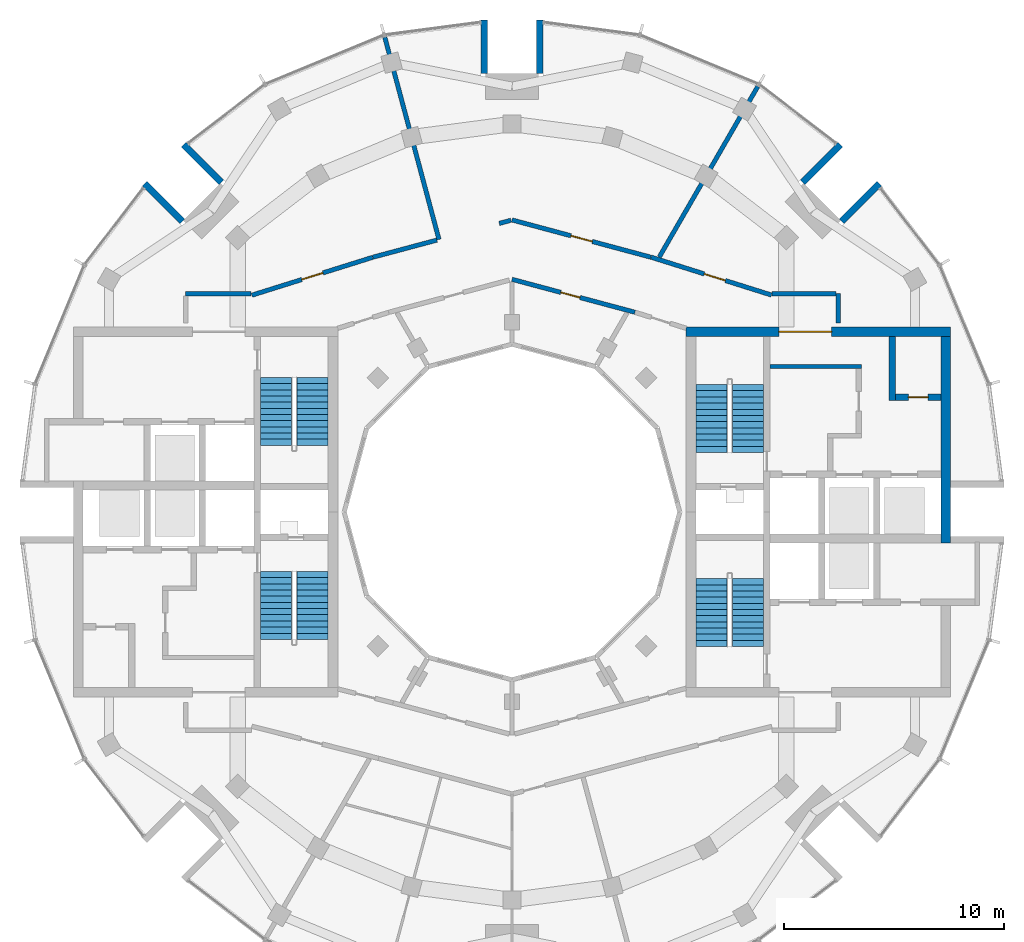
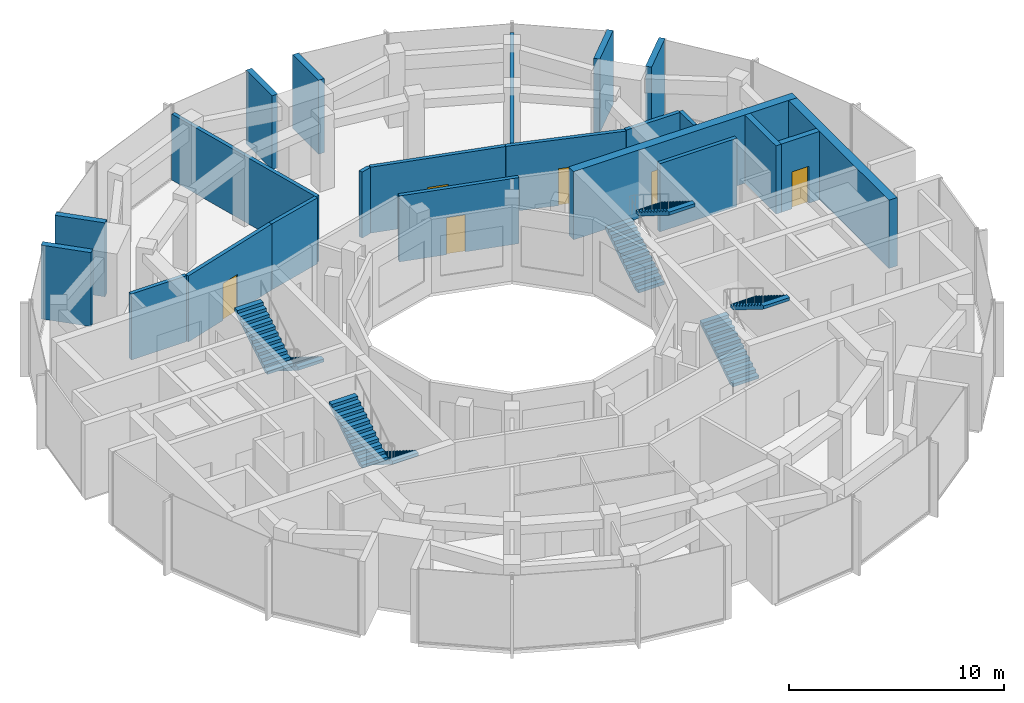
# One storey, part 11 of 13: 22 walls, 8 stair flights, 6 doors, 6 openings, 4 elements without a shape of their own.
"""IFC4 building model written with IfcOpenShell, lengths in metres."""

from ifc_helpers import new_model, si_unit, direction, frame, frame_2d, origin, place, context, subcontext, project, spatial, polyline, rectangle, outline, extrude, material, layer, layer_set, type_object, element, fill, aggregate, save


model = new_model("IFC4")

# Units and contexts
model_context = context("Model", 3, precision=1e-05, world=origin(), true_north=direction((0.0, 1.0)))
body_context = subcontext(model_context, "Body", "Model", "MODEL_VIEW")
ifc_project = project(units=[si_unit("LENGTHUNIT", "METRE"), si_unit("AREAUNIT", "SQUARE_METRE"), si_unit("VOLUMEUNIT", "CUBIC_METRE"), si_unit("PLANEANGLEUNIT", "RADIAN"), si_unit("MASSUNIT", "GRAM", prefix="KILO")], contexts=[model_context])

# Site, building, storey
site_placement = place(None, origin())
site = spatial("IfcSite", under=ifc_project, at=site_placement, CompositionType="ELEMENT")
building_placement = place(site_placement, origin())
building = spatial("IfcBuilding", under=site, at=building_placement, Name="Torre Brocal", CompositionType="ELEMENT")
storey_placement = place(building_placement, frame((0.0, 0.0, 300.89990234375)))
storey = spatial("IfcBuildingStorey", under=building, at=storey_placement, Name="L69", CompositionType="ELEMENT", Elevation=300.89990234375)

# Walls
ifc_material_1 = material(Name="Concrete C50", Category="concrete")
ifc_layer_1 = layer(ifc_material_1, 0.199951171875)
ifc_layer_set_1 = layer_set([ifc_layer_1], Name="Concrete C50")
wall_type_1 = type_object("IfcWallType", Name="CORE WALL 200 C50", PredefinedType="SHEAR", material=ifc_layer_set_1)
wall_1_placement = place(storey_placement, frame((91.699951171875, 81.60009765625, 0.0), z_axis=(0.0, 0.0, 1.0), x_axis=(1.0, 0.0, 0.0)))
element("IfcWall", 1, at=wall_1_placement, inside=storey, type_object=wall_type_1, Name="Wall CW200-50", PredefinedType="SHEAR", context=body_context, shape_type="SweptSolid", body=[
    extrude(rectangle(XDim=4.150146484375, YDim=0.199951171875, at=frame_2d((2.0751953125, 0.0))), origin(), (0.0, 0.0, 1.0), 3.880126953125),
])
ifc_material_2 = material(Name="Concrete C50", Category="concrete")
ifc_layer_2 = layer(ifc_material_2, 0.300048828125)
ifc_layer_set_2 = layer_set([ifc_layer_2], Name="Concrete C50")
wall_type_2 = type_object("IfcWallType", Name="CORE WALL 300 C50", PredefinedType="SHEAR", material=ifc_layer_set_2)
wall_2_placement = place(storey_placement, frame((97.25, 80.050048828125, 0.0), z_axis=(0.0, 0.0, 1.0), x_axis=(0.0, 1.0, 0.0)))
element("IfcWall", 2, at=wall_2_placement, inside=storey, type_object=wall_type_2, Name="Wall CW300-50", PredefinedType="SHEAR", context=body_context, shape_type="SweptSolid", body=[
    extrude(rectangle(XDim=2.89990234375, YDim=0.300048828125, at=frame_2d((1.449951171875, 0.0))), origin(), (0.0, 0.0, 1.0), 3.880126953125),
])

# Wall, opening, door
wall_3_placement = place(storey_placement, frame((97.39990234375, 80.199951171875, 0.0), z_axis=(0.0, 0.0, 1.0), x_axis=(1.0, 0.0, 0.0)))
wall_3 = element("IfcWall", 3, at=wall_3_placement, inside=storey, type_object=wall_type_2, Name="Wall CW300-50", PredefinedType="SHEAR", context=body_context, shape_type="SweptSolid", body=[
    extrude(rectangle(XDim=2.050048828125, YDim=0.300048828125, at=frame_2d((1.02490234375, 0.0))), origin(), (0.0, 0.0, 1.0), 3.880126953125),
])
opening_1_placement = place(wall_3_placement, frame((0.574951171875, 0.0, 0.0)))
opening_1 = element("IfcOpeningElement", 4, at=opening_1_placement, cuts=wall_3, Name="Opening E-D06", PredefinedType="OPENING", context=body_context, shape_type="SweptSolid", body=[
    extrude(rectangle(XDim=0.89990234375, YDim=2.10009765625, at=frame_2d((0.449951171875, 1.050048828125))), frame((0.0, 0.159912109375, 0.0), z_axis=(0.0, -1.0, 0.0), x_axis=(1.0, 0.0, 0.0)), (0.0, 0.0, 1.0), 0.320068359375),
])
ifc_material_3 = material(Name="Steel A653", Category="steel")
door_type_1 = type_object("IfcDoorType", Name="ROOM DOOR FD30S 900X2100", OperationType="SINGLE_SWING_LEFT", PredefinedType="DOOR", material=ifc_material_3)
door_1_placement = place(opening_1_placement, origin())
door_1 = element("IfcDoor", 5, at=door_1_placement, inside=storey, type_object=door_type_1, Name="Door E-D06", OperationType="SINGLE_SWING_RIGHT", OverallHeight=2.10009765625, OverallWidth=0.89990234375, PredefinedType="DOOR", context=body_context, shape_type="SweptSolid", body=[
    extrude(rectangle(XDim=0.89990234375, YDim=2.10009765625, at=frame_2d((0.449951171875, 1.050048828125))), frame((0.0, 0.02490234375, 0.0), z_axis=(0.0, -1.0, 0.0), x_axis=(1.0, 0.0, 0.0)), (0.0, 0.0, 1.0), 0.050048828125),
])
fill(opening_1, door_1)

ifc_material_4 = material(Name="Concrete C50", Category="concrete")
ifc_layer_3 = layer(ifc_material_4, 0.449951171875)
ifc_layer_set_3 = layer_set([ifc_layer_3], Name="Concrete C50")
wall_type_3 = type_object("IfcWallType", Name="CORE WALL 450 C50", PredefinedType="SHEAR", material=ifc_layer_set_3)
wall_4_placement = place(storey_placement, frame((87.89990234375, 83.175048828125, 0.0), z_axis=(0.0, 0.0, 1.0), x_axis=(1.0, 0.0, 0.0)))
wall_4 = element("IfcWall", 6, at=wall_4_placement, inside=storey, type_object=wall_type_3, Name="Wall CW450-50", PredefinedType="SHEAR", context=body_context, shape_type="SweptSolid", body=[
    extrude(rectangle(XDim=12.0, YDim=0.449951171875, at=frame_2d((6.0, 0.0))), origin(), (0.0, 0.0, 1.0), 3.880126953125),
])
opening_2_placement = place(wall_4_placement, frame((4.199951171875, 0.0, 0.0)))
opening_2 = element("IfcOpeningElement", 7, at=opening_2_placement, cuts=wall_4, Name="Opening E-D24", PredefinedType="OPENING", context=body_context, shape_type="SweptSolid", body=[
    extrude(rectangle(XDim=2.39990234375, YDim=2.39990234375, at=frame_2d((1.199951171875, 1.199951171875))), frame((0.0, 0.23486328125, 0.0), z_axis=(0.0, -1.0, 0.0), x_axis=(1.0, 0.0, 0.0)), (0.0, 0.0, 1.0), 0.469970703125),
])
ifc_material_5 = material(Name="Steel A653", Category="steel")
door_type_2 = type_object("IfcDoorType", Name="DOUBLE FIRE DOOR FD90 2400X2400", OperationType="DOUBLE_DOOR_SINGLE_SWING", PredefinedType="DOOR", material=ifc_material_5)
door_2_placement = place(opening_2_placement, frame((2.39990234375, 0.0, 0.0), z_axis=(0.0, 0.0, 1.0), x_axis=(-1.0, 0.0, 0.0)))
door_2 = element("IfcDoor", 8, at=door_2_placement, inside=storey, type_object=door_type_2, Name="Door E-D24", OperationType="DOUBLE_DOOR_SINGLE_SWING", OverallHeight=2.39990234375, OverallWidth=2.39990234375, PredefinedType="DOOR", context=body_context, shape_type="SweptSolid", body=[
    extrude(rectangle(XDim=2.39990234375, YDim=2.39990234375, at=frame_2d((1.199951171875, 1.199951171875))), frame((0.0, 0.02490234375, 0.0), z_axis=(0.0, -1.0, 0.0), x_axis=(1.0, 0.0, 0.0)), (0.0, 0.0, 1.0), 0.050048828125),
])
fill(opening_2, door_2)

# Walls
wall_5_placement = place(storey_placement, frame((99.675048828125, 73.60009765625, 0.0), z_axis=(0.0, 0.0, 1.0), x_axis=(0.0, 1.0, 0.0)))
element("IfcWall", 9, at=wall_5_placement, inside=storey, type_object=wall_type_3, Name="Wall CW450-50", PredefinedType="SHEAR", context=body_context, shape_type="SweptSolid", body=[
    extrude(rectangle(XDim=9.349853515625, YDim=0.449951171875, at=frame_2d((4.6748046875, 0.0))), origin(), (0.0, 0.0, 1.0), 3.880126953125),
])
ifc_material_6 = material(Name="Concrete C50", Category="concrete")
ifc_layer_4 = layer(ifc_material_6, 0.300048828125)
ifc_layer_set_4 = layer_set([ifc_layer_4], Name="Concrete C50")
wall_type_4 = type_object("IfcWallType", Name="NOTCH RETURN WALL 300 C50", PredefinedType="NOTDEFINED", material=ifc_layer_set_4)
for number, where, z_axis, x_axis, name in (
    (10, (94.955322265625, 88.1875, 0.0), (0.0, 0.0, 1.0), (0.707106781187, 0.707106781187, 0.0), "NOTCH RETURN WALL"),
    (11, (93.1875, 89.955322265625, 0.0), (0.0, 0.0, 1.0), (0.707106781187, 0.707106781187, 0.0), "NOTCH RETURN WALL"),
    (12, (81.25, 94.89990234375, 0.0), (0.0, 0.0, 1.0), (0.0, 1.0, 0.0), "NOTCH RETURN WALL"),
    (13, (78.75, 94.89990234375, 0.0), (0.0, 0.0, 1.0), (0.0, 1.0, 0.0), "NOTCH RETURN WALL"),
    (14, (66.8125, 89.955322265625, 0.0), (0.0, 0.0, 1.0), (-0.707106781187, 0.707106781187, 0.0), "NOTCH RETURN WALL"),
    (15, (65.044677734375, 88.1875, 0.0), (0.0, 0.0, 1.0), (-0.707106781187, 0.707106781187, 0.0), "NOTCH RETURN WALL"),
):
    element("IfcWall", number, at=place(storey_placement, frame(where, z_axis=z_axis, x_axis=x_axis)), inside=storey, type_object=wall_type_4, Name=name, PredefinedType="NOTDEFINED", context=body_context, shape_type="SweptSolid", body=[
        extrude(rectangle(XDim=2.415771484375, YDim=0.300048828125, at=frame_2d((1.2080078125, 0.0))), origin(), (0.0, 0.0, 1.0), 4.2001953125),
    ])
ifc_material_7 = material(Name="Gypsum board", Category="Gypsum")
ifc_layer_5 = layer(ifc_material_7, 0.199951171875)
ifc_layer_set_5 = layer_set([ifc_layer_5], Name="Gypsum board")
wall_type_5 = type_object("IfcWallType", Name="PARTITION 200 EI60", PredefinedType="PARTITIONING", material=ifc_layer_set_5)
wall_6_placement = place(storey_placement, frame((65.199951171875, 84.89990234375, 0.0), z_axis=(0.0, 0.0, 1.0), x_axis=(1.0, 0.0, 0.0)))
element("IfcWall", 16, at=wall_6_placement, inside=storey, type_object=wall_type_5, Name="FLAT ENTRANCE WALL", PredefinedType="PARTITIONING", context=body_context, shape_type="SweptSolid", body=[
    extrude(rectangle(XDim=2.969970703125, YDim=0.199951171875, at=frame_2d((1.48486328125, 0.0))), origin(), (0.0, 0.0, 1.0), 3.75),
])

# Wall, opening, door
wall_7_placement = place(storey_placement, frame((68.200927734375, 84.83349609375, 0.0), z_axis=(0.0, 0.0, 1.0), x_axis=(0.95420102455, 0.299166182492, 0.0)))
wall_7 = element("IfcWall", 17, at=wall_7_placement, inside=storey, type_object=wall_type_5, Name="FLAT ENTRANCE WALL", PredefinedType="PARTITIONING", context=body_context, shape_type="SweptSolid", body=[
    extrude(rectangle(XDim=5.739501953125, YDim=0.199951171875, at=frame_2d((2.86962890625, 0.0))), origin(), (0.0, 0.0, 1.0), 3.75),
])
opening_3_placement = place(wall_7_placement, frame((2.374267578125, 0.0, 0.0)))
opening_3 = element("IfcOpeningElement", 18, at=opening_3_placement, cuts=wall_7, Name="Opening N03-D03", PredefinedType="OPENING", context=body_context, shape_type="SweptSolid", body=[
    extrude(rectangle(XDim=1.0, YDim=2.10009765625, at=frame_2d((0.5, 1.050048828125))), frame((0.0, 0.10986328125, 0.0), z_axis=(0.0, -1.0, 0.0), x_axis=(1.0, 0.0, 0.0)), (0.0, 0.0, 1.0), 0.219970703125),
])
ifc_material_8 = material(Name="Timber", Category="wood")
door_type_3 = type_object("IfcDoorType", Name="FLAT ENTRY DOOR FD30S 1000X2100", OperationType="SINGLE_SWING_RIGHT", PredefinedType="DOOR", material=ifc_material_8)
door_3_placement = place(opening_3_placement, origin())
door_3 = element("IfcDoor", 19, at=door_3_placement, inside=storey, type_object=door_type_3, Name="N03-D03", OperationType="SINGLE_SWING_LEFT", OverallHeight=2.10009765625, OverallWidth=1.0, PredefinedType="DOOR", context=body_context, shape_type="SweptSolid", body=[
    extrude(rectangle(XDim=1.0, YDim=2.10009765625, at=frame_2d((0.5, 1.050048828125))), frame((0.0, 0.02490234375, 0.0), z_axis=(0.0, -1.0, 0.0), x_axis=(1.0, 0.0, 0.0)), (0.0, 0.0, 1.0), 0.050048828125),
])
fill(opening_3, door_3)

# Walls
wall_8_placement = place(storey_placement, frame((73.686767578125, 86.5546875, 0.0), z_axis=(0.0, 0.0, 1.0), x_axis=(0.965987897826, 0.258587279759, 0.0)))
element("IfcWall", 20, at=wall_8_placement, inside=storey, type_object=wall_type_5, Name="FLAT ENTRANCE WALL", PredefinedType="PARTITIONING", context=body_context, shape_type="SweptSolid", body=[
    extrude(rectangle(XDim=3.007080078125, YDim=0.199951171875, at=frame_2d((1.50341796875, 0.0))), origin(), (0.0, 0.0, 1.0), 3.75),
])
wall_9_placement = place(storey_placement, frame((74.22998046875, 96.53759765625, 0.0), z_axis=(0.0, 0.0, 1.0), x_axis=(0.258775468547, -0.965937501538, 0.0)))
element("IfcWall", 21, at=wall_9_placement, inside=storey, type_object=wall_type_5, Name="PARTY PARTITION", PredefinedType="PARTITIONING", context=body_context, shape_type="SweptSolid", body=[
    extrude(rectangle(XDim=9.50244140625, YDim=0.199951171875, at=frame_2d((4.751220703125, 0.0))), origin(), (0.0, 0.0, 1.0), 3.75),
])
wall_10_placement = place(storey_placement, frame((79.42138671875, 88.08984375, 0.0), z_axis=(0.0, 0.0, 1.0), x_axis=(0.966065016104, 0.258299021793, 0.0)))
element("IfcWall", 22, at=wall_10_placement, inside=storey, type_object=wall_type_5, Name="FLAT ENTRANCE WALL", PredefinedType="PARTITIONING", context=body_context, shape_type="SweptSolid", body=[
    extrude(rectangle(XDim=0.549072265625, YDim=0.199951171875, at=frame_2d((0.2744140625, 0.0))), origin(), (0.0, 0.0, 1.0), 3.75),
])

# Wall, opening, door
wall_11_placement = place(storey_placement, frame((80.0, 85.553955078125, 0.0), z_axis=(0.0, 0.0, 1.0), x_axis=(0.965928989968, -0.258807237802, 0.0)))
wall_11 = element("IfcWall", 23, at=wall_11_placement, inside=storey, type_object=wall_type_5, Name="CORRIDOR WALL", PredefinedType="PARTITIONING", context=body_context, shape_type="SweptSolid", body=[
    extrude(rectangle(XDim=5.774169921875, YDim=0.199951171875, at=frame_2d((2.88720703125, 0.0))), origin(), (0.0, 0.0, 1.0), 3.75),
])
opening_4_placement = place(wall_11_placement, frame((2.29150390625, 0.0, 0.0)))
opening_4 = element("IfcOpeningElement", 24, at=opening_4_placement, cuts=wall_11, Name="Opening N03-D05", PredefinedType="OPENING", context=body_context, shape_type="SweptSolid", body=[
    extrude(rectangle(XDim=0.89990234375, YDim=2.10009765625, at=frame_2d((0.449951171875, 1.050048828125))), frame((0.0, 0.10986328125, 0.0), z_axis=(0.0, -1.0, 0.0), x_axis=(1.0, 0.0, 0.0)), (0.0, 0.0, 1.0), 0.219970703125),
])
ifc_material_9 = material(Name="Timber", Category="wood")
door_type_4 = type_object("IfcDoorType", Name="ROOM DOOR 900X2100", OperationType="SINGLE_SWING_LEFT", PredefinedType="DOOR", material=ifc_material_9)
door_4_placement = place(opening_4_placement, frame((0.89990234375, 0.0, 0.0), z_axis=(0.0, 0.0, 1.0), x_axis=(-1.0, 0.0, 0.0)))
door_4 = element("IfcDoor", 25, at=door_4_placement, inside=storey, type_object=door_type_4, Name="N03-D05", OperationType="SINGLE_SWING_LEFT", OverallHeight=2.10009765625, OverallWidth=0.89990234375, PredefinedType="DOOR", context=body_context, shape_type="SweptSolid", body=[
    extrude(rectangle(XDim=0.89990234375, YDim=2.10009765625, at=frame_2d((0.449951171875, 1.050048828125))), frame((0.0, 0.02490234375, 0.0), z_axis=(0.0, -1.0, 0.0), x_axis=(1.0, 0.0, 0.0)), (0.0, 0.0, 1.0), 0.050048828125),
])
fill(opening_4, door_4)

wall_12_placement = place(storey_placement, frame((80.0, 88.24609375, 0.0), z_axis=(0.0, 0.0, 1.0), x_axis=(0.965856994925, -0.259075790752, 0.0)))
wall_12 = element("IfcWall", 26, at=wall_12_placement, inside=storey, type_object=wall_type_5, Name="FLAT ENTRANCE WALL", PredefinedType="PARTITIONING", context=body_context, shape_type="SweptSolid", body=[
    extrude(rectangle(XDim=6.52587890625, YDim=0.199951171875, at=frame_2d((3.262939453125, 0.0))), origin(), (0.0, 0.0, 1.0), 3.75),
])
opening_5_placement = place(wall_12_placement, frame((2.767822265625, 0.0, 0.0)))
opening_5 = element("IfcOpeningElement", 27, at=opening_5_placement, cuts=wall_12, Name="Opening N03-D02", PredefinedType="OPENING", context=body_context, shape_type="SweptSolid", body=[
    extrude(rectangle(XDim=1.0, YDim=2.10009765625, at=frame_2d((0.5, 1.050048828125))), frame((0.0, 0.10986328125, 0.0), z_axis=(0.0, -1.0, 0.0), x_axis=(1.0, 0.0, 0.0)), (0.0, 0.0, 1.0), 0.219970703125),
])
door_5_placement = place(opening_5_placement, origin())
door_5 = element("IfcDoor", 28, at=door_5_placement, inside=storey, type_object=door_type_3, Name="N03-D02", OperationType="SINGLE_SWING_RIGHT", OverallHeight=2.10009765625, OverallWidth=1.0, PredefinedType="DOOR", context=body_context, shape_type="SweptSolid", body=[
    extrude(rectangle(XDim=1.0, YDim=2.10009765625, at=frame_2d((0.5, 1.050048828125))), frame((0.0, 0.02490234375, 0.0), z_axis=(0.0, -1.0, 0.0), x_axis=(1.0, 0.0, 0.0)), (0.0, 0.0, 1.0), 0.050048828125),
])
fill(opening_5, door_5)

wall_13_placement = place(storey_placement, frame((86.313720703125, 86.555908203125, 0.0), z_axis=(0.0, 0.0, 1.0), x_axis=(0.953912400139, -0.300085209334, 0.0)))
wall_13 = element("IfcWall", 29, at=wall_13_placement, inside=storey, type_object=wall_type_5, Name="FLAT ENTRANCE WALL", PredefinedType="PARTITIONING", context=body_context, shape_type="SweptSolid", body=[
    extrude(rectangle(XDim=5.719482421875, YDim=0.199951171875, at=frame_2d((2.85986328125, 0.0))), origin(), (0.0, 0.0, 1.0), 3.75),
])
opening_6_placement = place(wall_13_placement, frame((2.524169921875, 0.0, 0.0)))
opening_6 = element("IfcOpeningElement", 30, at=opening_6_placement, cuts=wall_13, Name="Opening N03-D01", PredefinedType="OPENING", context=body_context, shape_type="SweptSolid", body=[
    extrude(rectangle(XDim=1.0, YDim=2.10009765625, at=frame_2d((0.5, 1.050048828125))), frame((0.0, 0.10986328125, 0.0), z_axis=(0.0, -1.0, 0.0), x_axis=(1.0, 0.0, 0.0)), (0.0, 0.0, 1.0), 0.219970703125),
])
door_6_placement = place(opening_6_placement, origin())
door_6 = element("IfcDoor", 31, at=door_6_placement, inside=storey, type_object=door_type_3, Name="N03-D01", OperationType="SINGLE_SWING_LEFT", OverallHeight=2.10009765625, OverallWidth=1.0, PredefinedType="DOOR", context=body_context, shape_type="SweptSolid", body=[
    extrude(rectangle(XDim=1.0, YDim=2.10009765625, at=frame_2d((0.5, 1.050048828125))), frame((0.0, 0.02490234375, 0.0), z_axis=(0.0, -1.0, 0.0), x_axis=(1.0, 0.0, 0.0)), (0.0, 0.0, 1.0), 0.050048828125),
])
fill(opening_6, door_6)

# Walls
wall_14_placement = place(storey_placement, frame((86.6787109375, 86.56298828125, 0.0), z_axis=(0.0, 0.0, 1.0), x_axis=(0.500152516677, 0.865937330331, 0.0)))
element("IfcWall", 32, at=wall_14_placement, inside=storey, type_object=wall_type_5, Name="PARTY PARTITION", PredefinedType="PARTITIONING", context=body_context, shape_type="SweptSolid", body=[
    extrude(rectangle(XDim=8.943115234375, YDim=0.199951171875, at=frame_2d((4.4716796875, 0.0))), origin(), (0.0, 0.0, 1.0), 3.75),
])
wall_15_placement = place(storey_placement, frame((91.800048828125, 84.89990234375, 0.0), z_axis=(0.0, 0.0, 1.0), x_axis=(1.0, 0.0, 0.0)))
element("IfcWall", 33, at=wall_15_placement, inside=storey, type_object=wall_type_5, Name="FLAT ENTRANCE WALL", PredefinedType="PARTITIONING", context=body_context, shape_type="SweptSolid", body=[
    extrude(rectangle(XDim=2.89990234375, YDim=0.199951171875, at=frame_2d((1.449951171875, 0.0))), origin(), (0.0, 0.0, 1.0), 3.75),
])
wall_16_placement = place(storey_placement, frame((94.800048828125, 83.576904296875, 0.0), z_axis=(0.0, 0.0, 1.0), x_axis=(0.0, 1.0, 0.0)))
element("IfcWall", 34, at=wall_16_placement, inside=storey, type_object=wall_type_5, Name="FLAT ENTRANCE WALL", PredefinedType="PARTITIONING", context=body_context, shape_type="SweptSolid", body=[
    extrude(rectangle(XDim=1.322998046875, YDim=0.199951171875, at=frame_2d((0.66162109375, 0.0))), origin(), (0.0, 0.0, 1.0), 3.75),
])

# Stair, stair flights
ifc_material_10 = material(Name="Concrete C50", Category="concrete")
stair_type = type_object("IfcStairType", Name="EXIT STAIR", PredefinedType="HALF_TURN_STAIR", material=ifc_material_10)
stair_1_placement = place(storey_placement, origin())
stair_1 = element("IfcStair", 35, at=stair_1_placement, inside=storey, type_object=stair_type, Name="EXIT STAIR ST1", PredefinedType="HALF_TURN_STAIR")
ifc_material_11 = material(Name="Concrete C50", Category="concrete")
ifc_layer_6 = layer(ifc_material_11, 0.14990234375)
ifc_layer_set_6 = layer_set([ifc_layer_6], Name="Concrete C50")
stair_flight_type = type_object("IfcStairFlightType", Name="STAIR FLIGHT", PredefinedType="STRAIGHT", material=ifc_layer_set_6)
stair_flight_1_placement = place(storey_placement, frame((89.050048828125, 77.699951171875, 0.0), z_axis=(0.0, 0.0, 1.0), x_axis=(0.0, 1.0, 0.0)))
stair_flight_1 = element("IfcStairFlight", 36, at=stair_flight_1_placement, type_object=stair_flight_type, Name="ST1 flight 1", NumberOfRisers=12, NumberOfTreads=11, PredefinedType="STRAIGHT", RiserHeight=0.175, TreadLength=0.28, context=body_context, shape_type="SweptSolid", body=[
    extrude(outline(polyline([(0.0, 0.0), (0.0, 0.175048828125), (0.280029296875, 0.175048828125), (0.280029296875, 0.35009765625), (0.56005859375, 0.35009765625), (0.56005859375, 0.52490234375), (0.840087890625, 0.52490234375), (0.840087890625, 0.699951171875), (1.1201171875, 0.699951171875), (1.1201171875, 0.875), (1.39990234375, 0.875), (1.39990234375, 1.050048828125), (1.679931640625, 1.050048828125), (1.679931640625, 1.22509765625), (1.9599609375, 1.22509765625), (1.9599609375, 1.39990234375), (2.239990234375, 1.39990234375), (2.239990234375, 1.574951171875), (2.52001953125, 1.574951171875), (2.52001953125, 1.75), (2.800048828125, 1.75), (2.800048828125, 1.925048828125), (3.080078125, 1.925048828125), (3.080078125, 2.10009765625), (3.080078125, 1.748291015625), (0.28271484375, 0.0), (0.0, 0.0)])), frame((0.0, 0.699951171875, 0.0), z_axis=(0.0, -1.0, 0.0), x_axis=(1.0, 0.0, 0.0)), (0.0, 0.0, 1.0), 1.39990234375),
])
stair_flight_2_placement = place(storey_placement, frame((90.699951171875, 80.780029296875, 2.10009765625), z_axis=(0.0, 0.0, 1.0), x_axis=(0.0, -1.0, 0.0)))
stair_flight_2 = element("IfcStairFlight", 37, at=stair_flight_2_placement, type_object=stair_flight_type, Name="ST1 flight 2", NumberOfRisers=12, NumberOfTreads=11, PredefinedType="STRAIGHT", RiserHeight=0.175, TreadLength=0.28, context=body_context, shape_type="SweptSolid", body=[
    extrude(outline(polyline([(0.0, 0.0), (0.0, 0.175048828125), (0.280029296875, 0.175048828125), (0.280029296875, 0.35009765625), (0.56005859375, 0.35009765625), (0.56005859375, 0.52490234375), (0.840087890625, 0.52490234375), (0.840087890625, 0.699951171875), (1.1201171875, 0.699951171875), (1.1201171875, 0.875), (1.39990234375, 0.875), (1.39990234375, 1.050048828125), (1.679931640625, 1.050048828125), (1.679931640625, 1.22509765625), (1.9599609375, 1.22509765625), (1.9599609375, 1.39990234375), (2.239990234375, 1.39990234375), (2.239990234375, 1.574951171875), (2.52001953125, 1.574951171875), (2.52001953125, 1.75), (2.800048828125, 1.75), (2.800048828125, 1.925048828125), (3.080078125, 1.925048828125), (3.080078125, 2.10009765625), (3.080078125, 1.748291015625), (0.28271484375, 0.0), (0.0, 0.0)])), frame((0.0, 0.699951171875, 0.0), z_axis=(0.0, -1.0, 0.0), x_axis=(1.0, 0.0, 0.0)), (0.0, 0.0, 1.0), 1.39990234375),
])
aggregate(stair_1, [stair_flight_1, stair_flight_2])

stair_2_placement = place(storey_placement, origin())
stair_2 = element("IfcStair", 38, at=stair_2_placement, inside=storey, type_object=stair_type, Name="EXIT STAIR ST2", PredefinedType="HALF_TURN_STAIR")
stair_flight_3_placement = place(storey_placement, frame((89.050048828125, 68.89990234375, 0.0), z_axis=(0.0, 0.0, 1.0), x_axis=(0.0, 1.0, 0.0)))
stair_flight_3 = element("IfcStairFlight", 39, at=stair_flight_3_placement, type_object=stair_flight_type, Name="ST2 flight 1", NumberOfRisers=12, NumberOfTreads=11, PredefinedType="STRAIGHT", RiserHeight=0.175, TreadLength=0.28, context=body_context, shape_type="SweptSolid", body=[
    extrude(outline(polyline([(0.0, 0.0), (0.0, 0.175048828125), (0.280029296875, 0.175048828125), (0.280029296875, 0.35009765625), (0.56005859375, 0.35009765625), (0.56005859375, 0.52490234375), (0.840087890625, 0.52490234375), (0.840087890625, 0.699951171875), (1.1201171875, 0.699951171875), (1.1201171875, 0.875), (1.39990234375, 0.875), (1.39990234375, 1.050048828125), (1.679931640625, 1.050048828125), (1.679931640625, 1.22509765625), (1.9599609375, 1.22509765625), (1.9599609375, 1.39990234375), (2.239990234375, 1.39990234375), (2.239990234375, 1.574951171875), (2.52001953125, 1.574951171875), (2.52001953125, 1.75), (2.800048828125, 1.75), (2.800048828125, 1.925048828125), (3.080078125, 1.925048828125), (3.080078125, 2.10009765625), (3.080078125, 1.748291015625), (0.28271484375, 0.0), (0.0, 0.0)])), frame((0.0, 0.699951171875, 0.0), z_axis=(0.0, -1.0, 0.0), x_axis=(1.0, 0.0, 0.0)), (0.0, 0.0, 1.0), 1.39990234375),
])
stair_flight_4_placement = place(storey_placement, frame((90.699951171875, 71.97998046875, 2.10009765625), z_axis=(0.0, 0.0, 1.0), x_axis=(0.0, -1.0, 0.0)))
stair_flight_4 = element("IfcStairFlight", 40, at=stair_flight_4_placement, type_object=stair_flight_type, Name="ST2 flight 2", NumberOfRisers=12, NumberOfTreads=11, PredefinedType="STRAIGHT", RiserHeight=0.175, TreadLength=0.28, context=body_context, shape_type="SweptSolid", body=[
    extrude(outline(polyline([(0.0, 0.0), (0.0, 0.175048828125), (0.280029296875, 0.175048828125), (0.280029296875, 0.35009765625), (0.56005859375, 0.35009765625), (0.56005859375, 0.52490234375), (0.840087890625, 0.52490234375), (0.840087890625, 0.699951171875), (1.1201171875, 0.699951171875), (1.1201171875, 0.875), (1.39990234375, 0.875), (1.39990234375, 1.050048828125), (1.679931640625, 1.050048828125), (1.679931640625, 1.22509765625), (1.9599609375, 1.22509765625), (1.9599609375, 1.39990234375), (2.239990234375, 1.39990234375), (2.239990234375, 1.574951171875), (2.52001953125, 1.574951171875), (2.52001953125, 1.75), (2.800048828125, 1.75), (2.800048828125, 1.925048828125), (3.080078125, 1.925048828125), (3.080078125, 2.10009765625), (3.080078125, 1.748291015625), (0.28271484375, 0.0), (0.0, 0.0)])), frame((0.0, 0.699951171875, 0.0), z_axis=(0.0, -1.0, 0.0), x_axis=(1.0, 0.0, 0.0)), (0.0, 0.0, 1.0), 1.39990234375),
])
aggregate(stair_2, [stair_flight_3, stair_flight_4])

stair_3_placement = place(storey_placement, origin())
stair_3 = element("IfcStair", 41, at=stair_3_placement, inside=storey, type_object=stair_type, Name="EXIT STAIR ST3", PredefinedType="HALF_TURN_STAIR")
stair_flight_5_placement = place(storey_placement, frame((70.949951171875, 72.300048828125, 0.0), z_axis=(0.0, 0.0, 1.0), x_axis=(0.0, -1.0, 0.0)))
stair_flight_5 = element("IfcStairFlight", 42, at=stair_flight_5_placement, type_object=stair_flight_type, Name="ST3 flight 1", NumberOfRisers=12, NumberOfTreads=11, PredefinedType="STRAIGHT", RiserHeight=0.175, TreadLength=0.28, context=body_context, shape_type="SweptSolid", body=[
    extrude(outline(polyline([(0.0, 0.0), (0.0, 0.175048828125), (0.280029296875, 0.175048828125), (0.280029296875, 0.35009765625), (0.56005859375, 0.35009765625), (0.56005859375, 0.52490234375), (0.840087890625, 0.52490234375), (0.840087890625, 0.699951171875), (1.1201171875, 0.699951171875), (1.1201171875, 0.875), (1.39990234375, 0.875), (1.39990234375, 1.050048828125), (1.679931640625, 1.050048828125), (1.679931640625, 1.22509765625), (1.9599609375, 1.22509765625), (1.9599609375, 1.39990234375), (2.239990234375, 1.39990234375), (2.239990234375, 1.574951171875), (2.52001953125, 1.574951171875), (2.52001953125, 1.75), (2.800048828125, 1.75), (2.800048828125, 1.925048828125), (3.080078125, 1.925048828125), (3.080078125, 2.10009765625), (3.080078125, 1.748291015625), (0.28271484375, 0.0), (0.0, 0.0)])), frame((0.0, 0.699951171875, 0.0), z_axis=(0.0, -1.0, 0.0), x_axis=(1.0, 0.0, 0.0)), (0.0, 0.0, 1.0), 1.39990234375),
])
stair_flight_6_placement = place(storey_placement, frame((69.300048828125, 69.219970703125, 2.10009765625), z_axis=(0.0, 0.0, 1.0), x_axis=(0.0, 1.0, 0.0)))
stair_flight_6 = element("IfcStairFlight", 43, at=stair_flight_6_placement, type_object=stair_flight_type, Name="ST3 flight 2", NumberOfRisers=12, NumberOfTreads=11, PredefinedType="STRAIGHT", RiserHeight=0.175, TreadLength=0.28, context=body_context, shape_type="SweptSolid", body=[
    extrude(outline(polyline([(0.0, 0.0), (0.0, 0.175048828125), (0.280029296875, 0.175048828125), (0.280029296875, 0.35009765625), (0.56005859375, 0.35009765625), (0.56005859375, 0.52490234375), (0.840087890625, 0.52490234375), (0.840087890625, 0.699951171875), (1.1201171875, 0.699951171875), (1.1201171875, 0.875), (1.39990234375, 0.875), (1.39990234375, 1.050048828125), (1.679931640625, 1.050048828125), (1.679931640625, 1.22509765625), (1.9599609375, 1.22509765625), (1.9599609375, 1.39990234375), (2.239990234375, 1.39990234375), (2.239990234375, 1.574951171875), (2.52001953125, 1.574951171875), (2.52001953125, 1.75), (2.800048828125, 1.75), (2.800048828125, 1.925048828125), (3.080078125, 1.925048828125), (3.080078125, 2.10009765625), (3.080078125, 1.748291015625), (0.28271484375, 0.0), (0.0, 0.0)])), frame((0.0, 0.699951171875, 0.0), z_axis=(0.0, -1.0, 0.0), x_axis=(1.0, 0.0, 0.0)), (0.0, 0.0, 1.0), 1.39990234375),
])
aggregate(stair_3, [stair_flight_5, stair_flight_6])

stair_4_placement = place(storey_placement, origin())
stair_4 = element("IfcStair", 44, at=stair_4_placement, inside=storey, type_object=stair_type, Name="EXIT STAIR ST4", PredefinedType="HALF_TURN_STAIR")
stair_flight_7_placement = place(storey_placement, frame((70.949951171875, 81.10009765625, 0.0), z_axis=(0.0, 0.0, 1.0), x_axis=(0.0, -1.0, 0.0)))
stair_flight_7 = element("IfcStairFlight", 45, at=stair_flight_7_placement, type_object=stair_flight_type, Name="ST4 flight 1", NumberOfRisers=12, NumberOfTreads=11, PredefinedType="STRAIGHT", RiserHeight=0.175, TreadLength=0.28, context=body_context, shape_type="SweptSolid", body=[
    extrude(outline(polyline([(0.0, 0.0), (0.0, 0.175048828125), (0.280029296875, 0.175048828125), (0.280029296875, 0.35009765625), (0.56005859375, 0.35009765625), (0.56005859375, 0.52490234375), (0.840087890625, 0.52490234375), (0.840087890625, 0.699951171875), (1.1201171875, 0.699951171875), (1.1201171875, 0.875), (1.39990234375, 0.875), (1.39990234375, 1.050048828125), (1.679931640625, 1.050048828125), (1.679931640625, 1.22509765625), (1.9599609375, 1.22509765625), (1.9599609375, 1.39990234375), (2.239990234375, 1.39990234375), (2.239990234375, 1.574951171875), (2.52001953125, 1.574951171875), (2.52001953125, 1.75), (2.800048828125, 1.75), (2.800048828125, 1.925048828125), (3.080078125, 1.925048828125), (3.080078125, 2.10009765625), (3.080078125, 1.748291015625), (0.28271484375, 0.0), (0.0, 0.0)])), frame((0.0, 0.699951171875, 0.0), z_axis=(0.0, -1.0, 0.0), x_axis=(1.0, 0.0, 0.0)), (0.0, 0.0, 1.0), 1.39990234375),
])
stair_flight_8_placement = place(storey_placement, frame((69.300048828125, 78.02001953125, 2.10009765625), z_axis=(0.0, 0.0, 1.0), x_axis=(0.0, 1.0, 0.0)))
stair_flight_8 = element("IfcStairFlight", 46, at=stair_flight_8_placement, type_object=stair_flight_type, Name="ST4 flight 2", NumberOfRisers=12, NumberOfTreads=11, PredefinedType="STRAIGHT", RiserHeight=0.175, TreadLength=0.28, context=body_context, shape_type="SweptSolid", body=[
    extrude(outline(polyline([(0.0, 0.0), (0.0, 0.175048828125), (0.280029296875, 0.175048828125), (0.280029296875, 0.35009765625), (0.56005859375, 0.35009765625), (0.56005859375, 0.52490234375), (0.840087890625, 0.52490234375), (0.840087890625, 0.699951171875), (1.1201171875, 0.699951171875), (1.1201171875, 0.875), (1.39990234375, 0.875), (1.39990234375, 1.050048828125), (1.679931640625, 1.050048828125), (1.679931640625, 1.22509765625), (1.9599609375, 1.22509765625), (1.9599609375, 1.39990234375), (2.239990234375, 1.39990234375), (2.239990234375, 1.574951171875), (2.52001953125, 1.574951171875), (2.52001953125, 1.75), (2.800048828125, 1.75), (2.800048828125, 1.925048828125), (3.080078125, 1.925048828125), (3.080078125, 2.10009765625), (3.080078125, 1.748291015625), (0.28271484375, 0.0), (0.0, 0.0)])), frame((0.0, 0.699951171875, 0.0), z_axis=(0.0, -1.0, 0.0), x_axis=(1.0, 0.0, 0.0)), (0.0, 0.0, 1.0), 1.39990234375),
])
aggregate(stair_4, [stair_flight_7, stair_flight_8])

save(model, "model.ifc")
